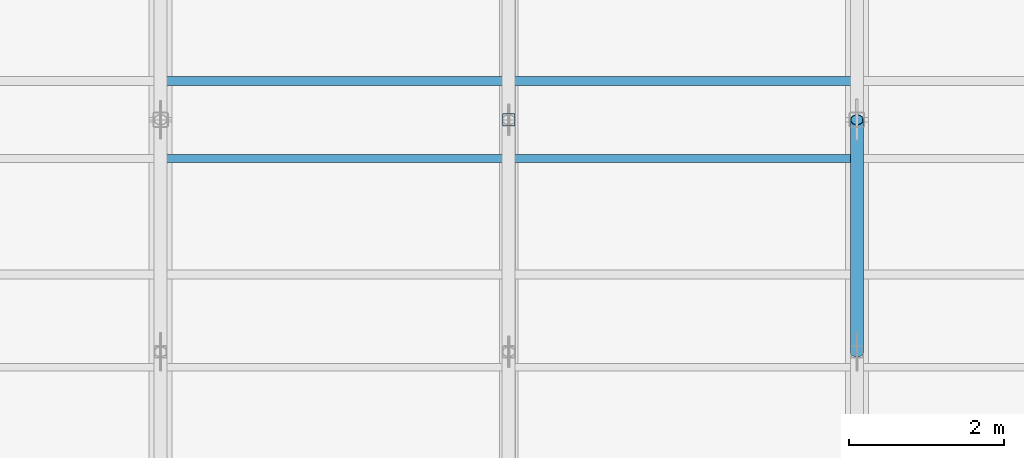
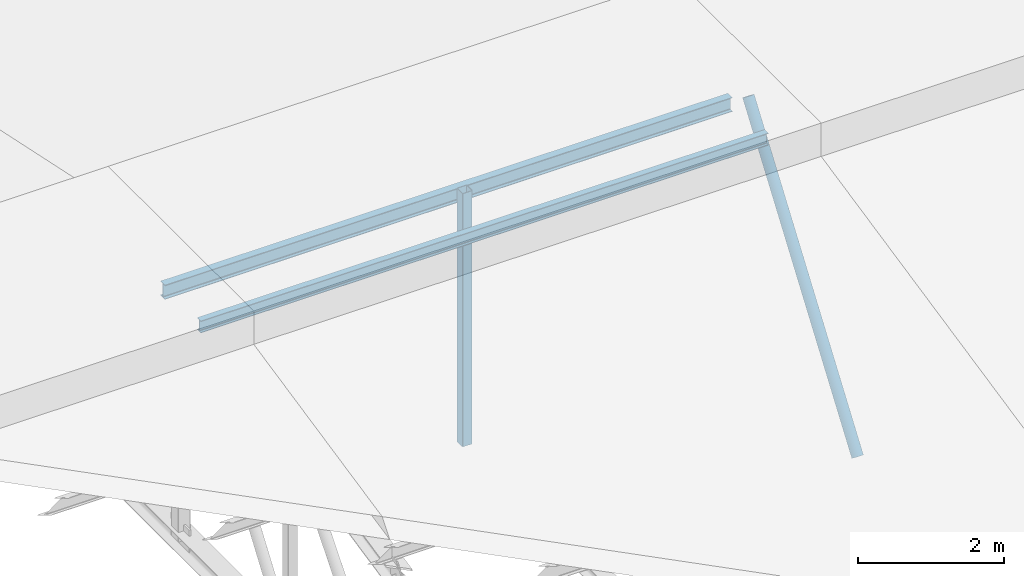
# One storey, part 12 of 43: 4 members.
"""IFC4 building model written with IfcOpenShell, lengths in metres."""

from ifc_helpers import new_model, si_unit, direction, frame, origin, origin_2d, place, context, subcontext, project, spatial, hollow_rectangle, hollow_circle, i_section, extrude, material, material_profile, profile_set, type_object, element, save


model = new_model("IFC4")

# Units and contexts
model_context = context("Model", 3, precision=1e-05, world=origin(), true_north=direction((0.0, 1.0)))
body_context = subcontext(model_context, "Body", "Model", "MODEL_VIEW")
ifc_project = project(units=[si_unit("LENGTHUNIT", "METRE"), si_unit("AREAUNIT", "SQUARE_METRE"), si_unit("VOLUMEUNIT", "CUBIC_METRE"), si_unit("PLANEANGLEUNIT", "RADIAN"), si_unit("MASSUNIT", "GRAM", prefix="KILO")], contexts=[model_context])

# Site, building, storey
site_placement = place(None, origin())
site = spatial("IfcSite", under=ifc_project, at=site_placement, CompositionType="ELEMENT")
building_placement = place(site_placement, origin())
building = spatial("IfcBuilding", under=site, at=building_placement, Name="Serraforn Aerial Cableway Station", CompositionType="ELEMENT")
storey_placement = place(building_placement, frame((0.0, 0.0, 18.300048828125)))
storey = spatial("IfcBuildingStorey", under=building, at=storey_placement, Name="RF", CompositionType="ELEMENT", Elevation=18.300048828125)

# Members
ifc_material_1 = material(Name="Steel S355J2", Category="steel")
ifc_material_profile_1 = material_profile(ifc_material_1, hollow_circle(Radius=0.084228515625, WallThickness=0.008056640625, at=origin_2d()), Name="CHS 168.3x8.0")
ifc_profile_set_1 = profile_set([ifc_material_profile_1], Name="Steel S355J2")
member_type_1 = type_object("IfcMemberType", Name="MEM-DG-CHS168", PredefinedType="BRACE", material=ifc_profile_set_1)
member_1_placement = place(storey_placement, frame((54.60009765625, 27.0, -1.35009765625), z_axis=(0.0, 0.578856146563, 0.815429679118), x_axis=(-1.0, 0.0, 0.0)))
element("IfcMember", 1, at=member_1_placement, inside=storey, type_object=member_type_1, Name="Roof Truss TR-04 Diagonal 4", PredefinedType="BRACE", context=body_context, shape_type="SweptSolid", body=[
    extrude(hollow_circle(Radius=0.084228515625, WallThickness=0.008056640625, at=origin_2d()), origin(), (0.0, 0.0, 1.0), 5.1826171875),
])
ifc_material_2 = material(Name="Steel S355JR", Category="steel")
ifc_material_profile_2 = material_profile(ifc_material_2, i_section(OverallWidth=0.10009765625, OverallDepth=0.199951171875, WebThickness=0.005615234375, FlangeThickness=0.008544921875, FilletRadius=0.011962890625, at=origin_2d()), Name="IPE 200")
ifc_profile_set_2 = profile_set([ifc_material_profile_2], Name="Steel S355JR")
member_type_2 = type_object("IfcMemberType", Name="MEM-PR-IPE200", PredefinedType="PURLIN", material=ifc_profile_set_2)
member_2_placement = place(storey_placement, frame((45.60009765625, 29.5, 2.48583984375), z_axis=(1.0, 0.0, 0.0), x_axis=(0.0, 1.0, 0.0)))
element("IfcMember", 2, at=member_2_placement, inside=storey, type_object=member_type_2, Name="Boarding Hall Purlin 3-7", PredefinedType="PURLIN", context=body_context, shape_type="SweptSolid", body=[
    extrude(i_section(OverallWidth=0.10009765625, OverallDepth=0.199951171875, WebThickness=0.005615234375, FlangeThickness=0.008544921875, FilletRadius=0.011962890625, at=origin_2d()), origin(), (0.0, 0.0, 1.0), 9.0),
])
ifc_material_profile_3 = material_profile(ifc_material_2, i_section(OverallWidth=0.1201171875, OverallDepth=0.239990234375, WebThickness=0.006103515625, FlangeThickness=0.009765625, FilletRadius=0.014892578125, at=origin_2d()), Name="IPE 240")
ifc_profile_set_3 = profile_set([ifc_material_profile_3], Name="Steel S355JR")
member_type_3 = type_object("IfcMemberType", Name="MEM-PR-IPE240", PredefinedType="PURLIN", material=ifc_profile_set_3)
member_3_placement = place(storey_placement, frame((45.60009765625, 30.5, 2.4658203125), z_axis=(1.0, 0.0, 0.0), x_axis=(0.0, 1.0, 0.0)))
element("IfcMember", 3, at=member_3_placement, inside=storey, type_object=member_type_3, Name="Boarding Hall Purlin 3-8", PredefinedType="PURLIN", context=body_context, shape_type="SweptSolid", body=[
    extrude(i_section(OverallWidth=0.1201171875, OverallDepth=0.239990234375, WebThickness=0.006103515625, FlangeThickness=0.009765625, FilletRadius=0.014892578125, at=origin_2d()), origin(), (0.0, 0.0, 1.0), 9.0),
])
ifc_material_profile_4 = material_profile(ifc_material_1, hollow_rectangle(XDim=0.159912109375, YDim=0.159912109375, WallThickness=0.008056640625, InnerFilletRadius=0.008056640625, OuterFilletRadius=0.01611328125, at=origin_2d()), Name="SHS 160x160x8.0")
ifc_profile_set_4 = profile_set([ifc_material_profile_4], Name="Steel S355J2")
member_type_4 = type_object("IfcMemberType", Name="MEM-VP-SHS160", PredefinedType="STRUT", material=ifc_profile_set_4)
member_4_placement = place(storey_placement, frame((50.10009765625, 30.0, -1.360107421875), z_axis=(0.0, 0.0, 1.0), x_axis=(1.0, 0.0, 0.0)))
element("IfcMember", 4, at=member_4_placement, inside=storey, type_object=member_type_4, Name="Intermediate Truss TRM-03 Post 5", PredefinedType="STRUT", context=body_context, shape_type="SweptSolid", body=[
    extrude(hollow_rectangle(XDim=0.159912109375, YDim=0.159912109375, WallThickness=0.008056640625, InnerFilletRadius=0.008056640625, OuterFilletRadius=0.01611328125, at=origin_2d()), origin(), (0.0, 0.0, 1.0), 4.24609375),
])

save(model, "model.ifc")
